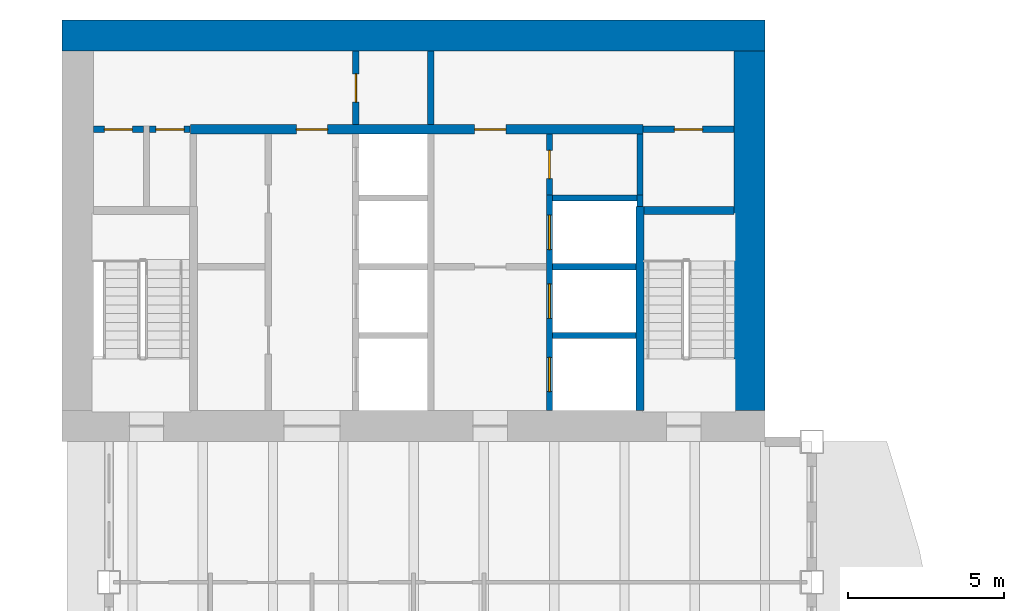
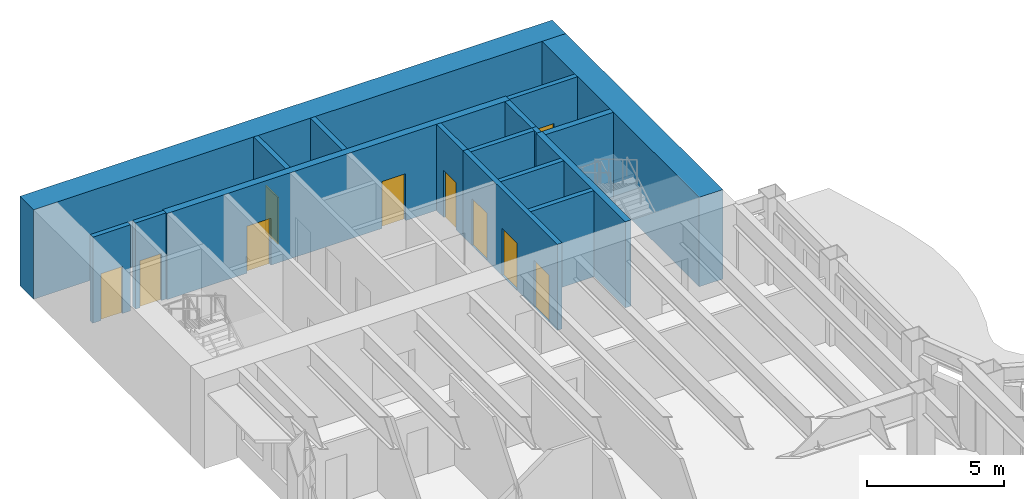
# One storey, part 9 of 16: 17 walls, 10 doors, 10 openings.
"""IFC4 building model written with IfcOpenShell, lengths in metres."""

from ifc_helpers import new_model, si_unit, direction, frame, frame_2d, origin, place, context, subcontext, project, spatial, rectangle, extrude, material, layer, layer_set, type_object, element, fill, save


model = new_model("IFC4")

# Units and contexts
model_context = context("Model", 3, precision=1e-05, world=origin(), true_north=direction((0.0, 1.0)))
body_context = subcontext(model_context, "Body", "Model", "MODEL_VIEW")
ifc_project = project(units=[si_unit("LENGTHUNIT", "METRE"), si_unit("AREAUNIT", "SQUARE_METRE"), si_unit("VOLUMEUNIT", "CUBIC_METRE"), si_unit("PLANEANGLEUNIT", "RADIAN"), si_unit("MASSUNIT", "GRAM", prefix="KILO")], contexts=[model_context])

# Site, building, storey
site_placement = place(None, origin())
site = spatial("IfcSite", under=ifc_project, at=site_placement, CompositionType="ELEMENT")
building_placement = place(site_placement, origin())
building = spatial("IfcBuilding", under=site, at=building_placement, Name="Sennacour Bend Tower", CompositionType="ELEMENT")
storey_placement = place(building_placement, frame((0.0, 0.0, 207.0)))
storey = spatial("IfcBuildingStorey", under=building, at=storey_placement, Name="L47", CompositionType="ELEMENT", Elevation=207.0)

# Walls
ifc_material_1 = material(Name="Concrete C60/75", Category="concrete")
ifc_layer_1 = layer(ifc_material_1, 1.0, Name="Concrete C60/75", Category="concrete")
ifc_layer_set_1 = layer_set([ifc_layer_1], Name="Concrete C60/75")
wall_type_1 = type_object("IfcWallType", Name="Core wall 1000 C60/75", PredefinedType="SHEAR", material=ifc_layer_set_1)
wall_1_placement = place(storey_placement, frame((0.0, 49.0, -0.14990234375), z_axis=(0.0, 0.0, 1.0), x_axis=(1.0, 0.0, 0.0)))
element("IfcWall", 1, at=wall_1_placement, inside=storey, type_object=wall_type_1, Name="Core B wall L47 N", PredefinedType="SHEAR", context=body_context, shape_type="SweptSolid", body=[
    extrude(rectangle(XDim=22.5, YDim=1.0, at=frame_2d((11.25, 0.0))), origin(), (0.0, 0.0, 1.0), 4.0),
])
wall_2_placement = place(storey_placement, frame((22.0, 37.0, -0.14990234375), z_axis=(0.0, 0.0, 1.0), x_axis=(0.0, 1.0, 0.0)))
element("IfcWall", 2, at=wall_2_placement, inside=storey, type_object=wall_type_1, Name="Core B wall L47 E", PredefinedType="SHEAR", context=body_context, shape_type="SweptSolid", body=[
    extrude(rectangle(XDim=11.5, YDim=1.0, at=frame_2d((5.75, 0.0))), origin(), (0.0, 0.0, 1.0), 4.0),
])

# Wall, opening, door
ifc_material_2 = material(Name="Fire-rated plasterboard partition on steel studs", Category="steel")
ifc_layer_2 = layer(ifc_material_2, 0.199951171875, Name="Fire-rated plasterboard partition on steel studs", Category="steel")
ifc_layer_set_2 = layer_set([ifc_layer_2], Name="Fire-rated plasterboard partition on steel studs")
wall_type_2 = type_object("IfcWallType", Name="Rated partition 200", PredefinedType="PARTITIONING", material=ifc_layer_set_2)
wall_3_placement = place(storey_placement, frame((9.39990234375, 46.14990234375, 0.0), z_axis=(0.0, 0.0, 1.0), x_axis=(0.0, 1.0, 0.0)))
wall_3 = element("IfcWall", 3, at=wall_3_placement, inside=storey, type_object=wall_type_2, Name="P-L47-W014", PredefinedType="PARTITIONING", context=body_context, shape_type="SweptSolid", body=[
    extrude(rectangle(XDim=2.35009765625, YDim=0.199951171875, at=frame_2d((1.175048828125, 0.0))), origin(), (0.0, 0.0, 1.0), 3.85009765625),
])
opening_1_placement = place(wall_3_placement, frame((0.72509765625, 0.0, 0.0)))
opening_1 = element("IfcOpeningElement", 4, at=opening_1_placement, cuts=wall_3, Name="Opening SV", PredefinedType="OPENING", context=body_context, shape_type="SweptSolid", body=[
    extrude(rectangle(XDim=0.89990234375, YDim=2.10009765625, at=frame_2d((0.449951171875, 1.050048828125))), frame((0.0, 0.10986328125, 0.0), z_axis=(0.0, -1.0, 0.0), x_axis=(1.0, 0.0, 0.0)), (0.0, 0.0, 1.0), 0.219970703125),
])
ifc_material_3 = material(Name="Painted steel", Category="steel")
door_type_1 = type_object("IfcDoorType", Name="DR-SERVICE-900", OperationType="NOTDEFINED", PredefinedType="DOOR", material=ifc_material_3)
door_1_placement = place(opening_1_placement, origin())
door_1 = element("IfcDoor", 5, at=door_1_placement, inside=storey, type_object=door_type_1, Name="Door", OperationType="SINGLE_SWING_RIGHT", OverallHeight=2.10009765625, OverallWidth=0.89990234375, PredefinedType="DOOR", context=body_context, shape_type="SweptSolid", body=[
    extrude(rectangle(XDim=0.89990234375, YDim=2.10009765625, at=frame_2d((0.449951171875, 1.050048828125))), frame((0.0, 0.02490234375, 0.0), z_axis=(0.0, -1.0, 0.0), x_axis=(1.0, 0.0, 0.0)), (0.0, 0.0, 1.0), 0.050048828125),
])
fill(opening_1, door_1)

# Wall
wall_4_placement = place(storey_placement, frame((11.800048828125, 46.14990234375, 0.0), z_axis=(0.0, 0.0, 1.0), x_axis=(0.0, 1.0, 0.0)))
element("IfcWall", 6, at=wall_4_placement, inside=storey, type_object=wall_type_2, Name="P-L47-W017", PredefinedType="PARTITIONING", context=body_context, shape_type="SweptSolid", body=[
    extrude(rectangle(XDim=2.35009765625, YDim=0.199951171875, at=frame_2d((1.175048828125, 0.0))), origin(), (0.0, 0.0, 1.0), 3.85009765625),
])

# Wall, opening, door
wall_5_placement = place(storey_placement, frame((15.60009765625, 43.89990234375, 0.0), z_axis=(0.0, 0.0, 1.0), x_axis=(0.0, 1.0, 0.0)))
wall_5 = element("IfcWall", 7, at=wall_5_placement, inside=storey, type_object=wall_type_2, Name="P-L47-W021", PredefinedType="PARTITIONING", context=body_context, shape_type="SweptSolid", body=[
    extrude(rectangle(XDim=1.9501953125, YDim=0.199951171875, at=frame_2d((0.97509765625, 0.0))), origin(), (0.0, 0.0, 1.0), 3.85009765625),
])
opening_2_placement = place(wall_5_placement, frame((0.525146484375, 0.0, 0.0)))
opening_2 = element("IfcOpeningElement", 8, at=opening_2_placement, cuts=wall_5, Name="Opening SV", PredefinedType="OPENING", context=body_context, shape_type="SweptSolid", body=[
    extrude(rectangle(XDim=0.89990234375, YDim=2.10009765625, at=frame_2d((0.449951171875, 1.050048828125))), frame((0.0, 0.10986328125, 0.0), z_axis=(0.0, -1.0, 0.0), x_axis=(1.0, 0.0, 0.0)), (0.0, 0.0, 1.0), 0.219970703125),
])
door_2_placement = place(opening_2_placement, origin())
door_2 = element("IfcDoor", 9, at=door_2_placement, inside=storey, type_object=door_type_1, Name="Door", OperationType="SINGLE_SWING_RIGHT", OverallHeight=2.10009765625, OverallWidth=0.89990234375, PredefinedType="DOOR", context=body_context, shape_type="SweptSolid", body=[
    extrude(rectangle(XDim=0.89990234375, YDim=2.10009765625, at=frame_2d((0.449951171875, 1.050048828125))), frame((0.0, 0.02490234375, 0.0), z_axis=(0.0, -1.0, 0.0), x_axis=(1.0, 0.0, 0.0)), (0.0, 0.0, 1.0), 0.050048828125),
])
fill(opening_2, door_2)

# Wall
wall_6_placement = place(storey_placement, frame((18.5, 43.89990234375, 0.0), z_axis=(0.0, 0.0, 1.0), x_axis=(0.0, 1.0, 0.0)))
element("IfcWall", 10, at=wall_6_placement, inside=storey, type_object=wall_type_2, Name="P-L47-W024", PredefinedType="PARTITIONING", context=body_context, shape_type="SweptSolid", body=[
    extrude(rectangle(XDim=1.9501953125, YDim=0.199951171875, at=frame_2d((0.97509765625, 0.0))), origin(), (0.0, 0.0, 1.0), 3.85009765625),
])

# Wall, opening, door
wall_7_placement = place(storey_placement, frame((1.0, 46.0, 0.0), z_axis=(0.0, 0.0, 1.0), x_axis=(1.0, 0.0, 0.0)))
wall_7 = element("IfcWall", 11, at=wall_7_placement, inside=storey, type_object=wall_type_2, Name="P-L47-W093a", PredefinedType="PARTITIONING", context=body_context, shape_type="SweptSolid", body=[
    extrude(rectangle(XDim=1.60009765625, YDim=0.199951171875, at=frame_2d((0.800048828125, 0.0))), origin(), (0.0, 0.0, 1.0), 3.85009765625),
])
opening_3_placement = place(wall_7_placement, frame((0.35009765625, 0.0, 0.0)))
opening_3 = element("IfcOpeningElement", 12, at=opening_3_placement, cuts=wall_7, Name="Opening SV", PredefinedType="OPENING", context=body_context, shape_type="SweptSolid", body=[
    extrude(rectangle(XDim=0.89990234375, YDim=2.10009765625, at=frame_2d((0.449951171875, 1.050048828125))), frame((0.0, 0.10986328125, 0.0), z_axis=(0.0, -1.0, 0.0), x_axis=(1.0, 0.0, 0.0)), (0.0, 0.0, 1.0), 0.219970703125),
])
door_3_placement = place(opening_3_placement, origin())
door_3 = element("IfcDoor", 13, at=door_3_placement, inside=storey, type_object=door_type_1, Name="Door", OperationType="SINGLE_SWING_LEFT", OverallHeight=2.10009765625, OverallWidth=0.89990234375, PredefinedType="DOOR", context=body_context, shape_type="SweptSolid", body=[
    extrude(rectangle(XDim=0.89990234375, YDim=2.10009765625, at=frame_2d((0.449951171875, 1.050048828125))), frame((0.0, 0.02490234375, 0.0), z_axis=(0.0, -1.0, 0.0), x_axis=(1.0, 0.0, 0.0)), (0.0, 0.0, 1.0), 0.050048828125),
])
fill(opening_3, door_3)

wall_8_placement = place(storey_placement, frame((2.800048828125, 46.0, 0.0), z_axis=(0.0, 0.0, 1.0), x_axis=(1.0, 0.0, 0.0)))
wall_8 = element("IfcWall", 14, at=wall_8_placement, inside=storey, type_object=wall_type_2, Name="P-L47-W093b", PredefinedType="PARTITIONING", context=body_context, shape_type="SweptSolid", body=[
    extrude(rectangle(XDim=1.300048828125, YDim=0.199951171875, at=frame_2d((0.64990234375, 0.0))), origin(), (0.0, 0.0, 1.0), 3.85009765625),
])
opening_4_placement = place(wall_8_placement, frame((0.199951171875, 0.0, 0.0)))
opening_4 = element("IfcOpeningElement", 15, at=opening_4_placement, cuts=wall_8, Name="Opening SV", PredefinedType="OPENING", context=body_context, shape_type="SweptSolid", body=[
    extrude(rectangle(XDim=0.89990234375, YDim=2.10009765625, at=frame_2d((0.449951171875, 1.050048828125))), frame((0.0, 0.10986328125, 0.0), z_axis=(0.0, -1.0, 0.0), x_axis=(1.0, 0.0, 0.0)), (0.0, 0.0, 1.0), 0.219970703125),
])
door_4_placement = place(opening_4_placement, origin())
door_4 = element("IfcDoor", 16, at=door_4_placement, inside=storey, type_object=door_type_1, Name="Door", OperationType="SINGLE_SWING_LEFT", OverallHeight=2.10009765625, OverallWidth=0.89990234375, PredefinedType="DOOR", context=body_context, shape_type="SweptSolid", body=[
    extrude(rectangle(XDim=0.89990234375, YDim=2.10009765625, at=frame_2d((0.449951171875, 1.050048828125))), frame((0.0, 0.02490234375, 0.0), z_axis=(0.0, -1.0, 0.0), x_axis=(1.0, 0.0, 0.0)), (0.0, 0.0, 1.0), 0.050048828125),
])
fill(opening_4, door_4)

wall_9_placement = place(storey_placement, frame((18.60009765625, 46.0, 0.0), z_axis=(0.0, 0.0, 1.0), x_axis=(1.0, 0.0, 0.0)))
wall_9 = element("IfcWall", 17, at=wall_9_placement, inside=storey, type_object=wall_type_2, Name="P-L47-W095", PredefinedType="PARTITIONING", context=body_context, shape_type="SweptSolid", body=[
    extrude(rectangle(XDim=2.89990234375, YDim=0.199951171875, at=frame_2d((1.449951171875, 0.0))), origin(), (0.0, 0.0, 1.0), 3.85009765625),
])
opening_5_placement = place(wall_9_placement, frame((1.0, 0.0, 0.0)))
opening_5 = element("IfcOpeningElement", 18, at=opening_5_placement, cuts=wall_9, Name="Opening WD", PredefinedType="OPENING", context=body_context, shape_type="SweptSolid", body=[
    extrude(rectangle(XDim=0.89990234375, YDim=2.10009765625, at=frame_2d((0.449951171875, 1.050048828125))), frame((0.0, 0.10986328125, 0.0), z_axis=(0.0, -1.0, 0.0), x_axis=(1.0, 0.0, 0.0)), (0.0, 0.0, 1.0), 0.219970703125),
])
ifc_material_4 = material(Name="Timber", Category="wood")
door_type_2 = type_object("IfcDoorType", Name="DR-WC-900", OperationType="NOTDEFINED", PredefinedType="DOOR", material=ifc_material_4)
door_5_placement = place(opening_5_placement, origin())
door_5 = element("IfcDoor", 19, at=door_5_placement, inside=storey, type_object=door_type_2, Name="Door", OperationType="SINGLE_SWING_LEFT", OverallHeight=2.10009765625, OverallWidth=0.89990234375, PredefinedType="DOOR", context=body_context, shape_type="SweptSolid", body=[
    extrude(rectangle(XDim=0.89990234375, YDim=2.10009765625, at=frame_2d((0.449951171875, 1.050048828125))), frame((0.0, 0.02490234375, 0.0), z_axis=(0.0, -1.0, 0.0), x_axis=(1.0, 0.0, 0.0)), (0.0, 0.0, 1.0), 0.050048828125),
])
fill(opening_5, door_5)

# Wall, openings, doors
ifc_material_5 = material(Name="Concrete C50/60", Category="concrete")
ifc_layer_3 = layer(ifc_material_5, 0.199951171875, Name="Concrete C50/60", Category="concrete")
ifc_layer_set_3 = layer_set([ifc_layer_3], Name="Concrete C50/60")
wall_type_3 = type_object("IfcWallType", Name="Shaft wall 200", PredefinedType="SOLIDWALL", material=ifc_layer_set_3)
wall_10_placement = place(storey_placement, frame((15.60009765625, 37.0, 0.0), z_axis=(0.0, 0.0, 1.0), x_axis=(0.0, 1.0, 0.0)))
wall_10 = element("IfcWall", 20, at=wall_10_placement, inside=storey, type_object=wall_type_3, Name="P-L47-W020", PredefinedType="SOLIDWALL", context=body_context, shape_type="SweptSolid", body=[
    extrude(rectangle(XDim=6.89990234375, YDim=0.199951171875, at=frame_2d((3.449951171875, 0.0))), origin(), (0.0, 0.0, 1.0), 3.85009765625),
])
opening_6_placement = place(wall_10_placement, frame((0.60009765625, 0.0, 0.011962890625)))
opening_6 = element("IfcOpeningElement", 21, at=opening_6_placement, cuts=wall_10, Name="Opening FLD", PredefinedType="OPENING", context=body_context, shape_type="SweptSolid", body=[
    extrude(rectangle(XDim=1.10009765625, YDim=2.10009765625, at=frame_2d((0.550048828125, 1.050048828125))), frame((0.0, 0.10986328125, 0.0), z_axis=(0.0, -1.0, 0.0), x_axis=(1.0, 0.0, 0.0)), (0.0, 0.0, 1.0), 0.219970703125),
])
opening_7_placement = place(wall_10_placement, frame((2.949951171875, 0.0, 0.011962890625)))
opening_7 = element("IfcOpeningElement", 22, at=opening_7_placement, cuts=wall_10, Name="Opening FLD", PredefinedType="OPENING", context=body_context, shape_type="SweptSolid", body=[
    extrude(rectangle(XDim=1.10009765625, YDim=2.10009765625, at=frame_2d((0.550048828125, 1.050048828125))), frame((0.0, 0.10986328125, 0.0), z_axis=(0.0, -1.0, 0.0), x_axis=(1.0, 0.0, 0.0)), (0.0, 0.0, 1.0), 0.219970703125),
])
opening_8_placement = place(wall_10_placement, frame((5.14990234375, 0.0, 0.011962890625)))
opening_8 = element("IfcOpeningElement", 23, at=opening_8_placement, cuts=wall_10, Name="Opening LD", PredefinedType="OPENING", context=body_context, shape_type="SweptSolid", body=[
    extrude(rectangle(XDim=1.10009765625, YDim=2.10009765625, at=frame_2d((0.550048828125, 1.050048828125))), frame((0.0, 0.10986328125, 0.0), z_axis=(0.0, -1.0, 0.0), x_axis=(1.0, 0.0, 0.0)), (0.0, 0.0, 1.0), 0.219970703125),
])
ifc_material_6 = material(Name="Stainless steel", Category="steel")
door_type_3 = type_object("IfcDoorType", Name="DR-FF-LANDING-1100", OperationType="NOTDEFINED", PredefinedType="DOOR", material=ifc_material_6)
door_6_placement = place(opening_6_placement, origin())
door_6 = element("IfcDoor", 24, at=door_6_placement, inside=storey, type_object=door_type_3, Name="Fire service lift landing door FB1", OperationType="SLIDING_TO_RIGHT", OverallHeight=2.10009765625, OverallWidth=1.10009765625, PredefinedType="DOOR", context=body_context, shape_type="SweptSolid", body=[
    extrude(rectangle(XDim=1.10009765625, YDim=2.10009765625, at=frame_2d((0.550048828125, 1.050048828125))), frame((0.0, 0.02490234375, 0.0), z_axis=(0.0, -1.0, 0.0), x_axis=(1.0, 0.0, 0.0)), (0.0, 0.0, 1.0), 0.050048828125),
])
fill(opening_6, door_6)
door_7_placement = place(opening_7_placement, origin())
door_7 = element("IfcDoor", 25, at=door_7_placement, inside=storey, type_object=door_type_3, Name="Fire service lift landing door FB2", OperationType="SLIDING_TO_LEFT", OverallHeight=2.10009765625, OverallWidth=1.10009765625, PredefinedType="DOOR", context=body_context, shape_type="SweptSolid", body=[
    extrude(rectangle(XDim=1.10009765625, YDim=2.10009765625, at=frame_2d((0.550048828125, 1.050048828125))), frame((0.0, 0.02490234375, 0.0), z_axis=(0.0, -1.0, 0.0), x_axis=(1.0, 0.0, 0.0)), (0.0, 0.0, 1.0), 0.050048828125),
])
fill(opening_7, door_7)
door_type_4 = type_object("IfcDoorType", Name="DR-LANDING-1100", OperationType="NOTDEFINED", PredefinedType="DOOR", material=ifc_material_6)
door_8_placement = place(opening_8_placement, origin())
door_8 = element("IfcDoor", 26, at=door_8_placement, inside=storey, type_object=door_type_4, Name="Lift landing door MB5", OperationType="SLIDING_TO_RIGHT", OverallHeight=2.10009765625, OverallWidth=1.10009765625, PredefinedType="DOOR", context=body_context, shape_type="SweptSolid", body=[
    extrude(rectangle(XDim=1.10009765625, YDim=2.10009765625, at=frame_2d((0.550048828125, 1.050048828125))), frame((0.0, 0.02490234375, 0.0), z_axis=(0.0, -1.0, 0.0), x_axis=(1.0, 0.0, 0.0)), (0.0, 0.0, 1.0), 0.050048828125),
])
fill(opening_8, door_8)

# Walls
wall_11_placement = place(storey_placement, frame((18.5, 43.52490234375, 0.0), z_axis=(0.0, 0.0, 1.0), x_axis=(0.0, 1.0, 0.0)))
element("IfcWall", 27, at=wall_11_placement, inside=storey, type_object=wall_type_3, Name="P-L47-W023", PredefinedType="SOLIDWALL", context=body_context, shape_type="SweptSolid", body=[
    extrude(rectangle(XDim=0.375, YDim=0.199951171875, at=frame_2d((0.1875, 0.0))), origin(), (0.0, 0.0, 1.0), 3.85009765625),
])
for number, where, z_axis, x_axis, name in (
    (28, (15.699951171875, 39.39990234375, 0.0), (0.0, 0.0, 1.0), (1.0, 0.0, 0.0), "P-L47-W084"),
    (29, (15.699951171875, 41.60009765625, 0.0), (0.0, 0.0, 1.0), (1.0, 0.0, 0.0), "P-L47-W088"),
):
    element("IfcWall", number, at=place(storey_placement, frame(where, z_axis=z_axis, x_axis=x_axis)), inside=storey, type_object=wall_type_3, Name=name, PredefinedType="SOLIDWALL", context=body_context, shape_type="SweptSolid", body=[
        extrude(rectangle(XDim=2.675048828125, YDim=0.199951171875, at=frame_2d((1.33740234375, 0.0))), origin(), (0.0, 0.0, 1.0), 3.85009765625),
    ])
wall_12_placement = place(storey_placement, frame((15.699951171875, 43.800048828125, 0.0), z_axis=(0.0, 0.0, 1.0), x_axis=(1.0, 0.0, 0.0)))
element("IfcWall", 30, at=wall_12_placement, inside=storey, type_object=wall_type_3, Name="P-L47-W092", PredefinedType="SOLIDWALL", context=body_context, shape_type="SweptSolid", body=[
    extrude(rectangle(XDim=2.699951171875, YDim=0.199951171875, at=frame_2d((1.35009765625, 0.0))), origin(), (0.0, 0.0, 1.0), 3.85009765625),
])

# Wall, openings, doors
ifc_layer_4 = layer(ifc_material_1, 0.300048828125, Name="Concrete C60/75", Category="concrete")
ifc_layer_set_4 = layer_set([ifc_layer_4], Name="Concrete C60/75")
wall_type_4 = type_object("IfcWallType", Name="Spine wall 300", PredefinedType="SHEAR", material=ifc_layer_set_4)
wall_13_placement = place(storey_placement, frame((4.10009765625, 46.0, 0.0), z_axis=(0.0, 0.0, 1.0), x_axis=(1.0, 0.0, 0.0)))
wall_13 = element("IfcWall", 31, at=wall_13_placement, inside=storey, type_object=wall_type_4, Name="P-L47-W094", PredefinedType="SHEAR", context=body_context, shape_type="SweptSolid", body=[
    extrude(rectangle(XDim=14.5, YDim=0.300048828125, at=frame_2d((7.25, 0.0))), origin(), (0.0, 0.0, 1.0), 3.85009765625),
])
opening_9_placement = place(wall_13_placement, frame((3.39990234375, 0.0, 0.0)))
opening_9 = element("IfcOpeningElement", 32, at=opening_9_placement, cuts=wall_13, Name="Opening CD2", PredefinedType="OPENING", context=body_context, shape_type="SweptSolid", body=[
    extrude(rectangle(XDim=1.0, YDim=2.10009765625, at=frame_2d((0.5, 1.050048828125))), frame((0.0, 0.16015625, 0.0), z_axis=(0.0, -1.0, 0.0), x_axis=(1.0, 0.0, 0.0)), (0.0, 0.0, 1.0), 0.320068359375),
])
opening_10_placement = place(wall_13_placement, frame((9.099853515625, 0.0, 0.0)))
opening_10 = element("IfcOpeningElement", 33, at=opening_10_placement, cuts=wall_13, Name="Opening CD2", PredefinedType="OPENING", context=body_context, shape_type="SweptSolid", body=[
    extrude(rectangle(XDim=1.0, YDim=2.10009765625, at=frame_2d((0.5, 1.050048828125))), frame((0.0, 0.16015625, 0.0), z_axis=(0.0, -1.0, 0.0), x_axis=(1.0, 0.0, 0.0)), (0.0, 0.0, 1.0), 0.320068359375),
])
door_type_5 = type_object("IfcDoorType", Name="DR-LOBBY-1000", OperationType="NOTDEFINED", PredefinedType="DOOR", material=ifc_material_3)
door_9_placement = place(opening_9_placement, origin())
door_9 = element("IfcDoor", 34, at=door_9_placement, inside=storey, type_object=door_type_5, Name="Door", OperationType="SINGLE_SWING_LEFT", OverallHeight=2.10009765625, OverallWidth=1.0, PredefinedType="DOOR", context=body_context, shape_type="SweptSolid", body=[
    extrude(rectangle(XDim=1.0, YDim=2.10009765625, at=frame_2d((0.5, 1.050048828125))), frame((0.0, 0.02490234375, 0.0), z_axis=(0.0, -1.0, 0.0), x_axis=(1.0, 0.0, 0.0)), (0.0, 0.0, 1.0), 0.050048828125),
])
fill(opening_9, door_9)
door_10_placement = place(opening_10_placement, origin())
door_10 = element("IfcDoor", 35, at=door_10_placement, inside=storey, type_object=door_type_5, Name="Door", OperationType="SINGLE_SWING_RIGHT", OverallHeight=2.10009765625, OverallWidth=1.0, PredefinedType="DOOR", context=body_context, shape_type="SweptSolid", body=[
    extrude(rectangle(XDim=1.0, YDim=2.10009765625, at=frame_2d((0.5, 1.050048828125))), frame((0.0, 0.02490234375, 0.0), z_axis=(0.0, -1.0, 0.0), x_axis=(1.0, 0.0, 0.0)), (0.0, 0.0, 1.0), 0.050048828125),
])
fill(opening_10, door_10)

# Walls
ifc_layer_5 = layer(ifc_material_1, 0.25, Name="Concrete C60/75", Category="concrete")
ifc_layer_set_5 = layer_set([ifc_layer_5], Name="Concrete C60/75")
wall_type_5 = type_object("IfcWallType", Name="Stair wall 250", PredefinedType="SHEAR", material=ifc_layer_set_5)
wall_14_placement = place(storey_placement, frame((18.5, 37.0, 0.0), z_axis=(0.0, 0.0, 1.0), x_axis=(0.0, 1.0, 0.0)))
element("IfcWall", 36, at=wall_14_placement, inside=storey, type_object=wall_type_5, Name="P-L47-W022", PredefinedType="SHEAR", context=body_context, shape_type="SweptSolid", body=[
    extrude(rectangle(XDim=6.52490234375, YDim=0.25, at=frame_2d((3.262451171875, 0.0))), origin(), (0.0, 0.0, 1.0), 3.85009765625),
])
wall_15_placement = place(storey_placement, frame((18.625, 43.39990234375, 0.0), z_axis=(0.0, 0.0, 1.0), x_axis=(1.0, 0.0, 0.0)))
element("IfcWall", 37, at=wall_15_placement, inside=storey, type_object=wall_type_5, Name="P-L47-W090", PredefinedType="SHEAR", context=body_context, shape_type="SweptSolid", body=[
    extrude(rectangle(XDim=2.875, YDim=0.25, at=frame_2d((1.4375, 0.0))), origin(), (0.0, 0.0, 1.0), 3.85009765625),
])

save(model, "model.ifc")
